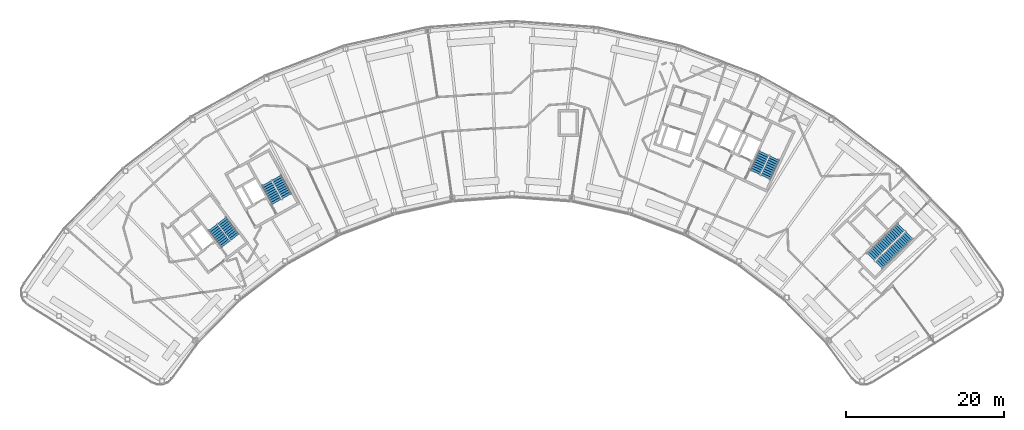
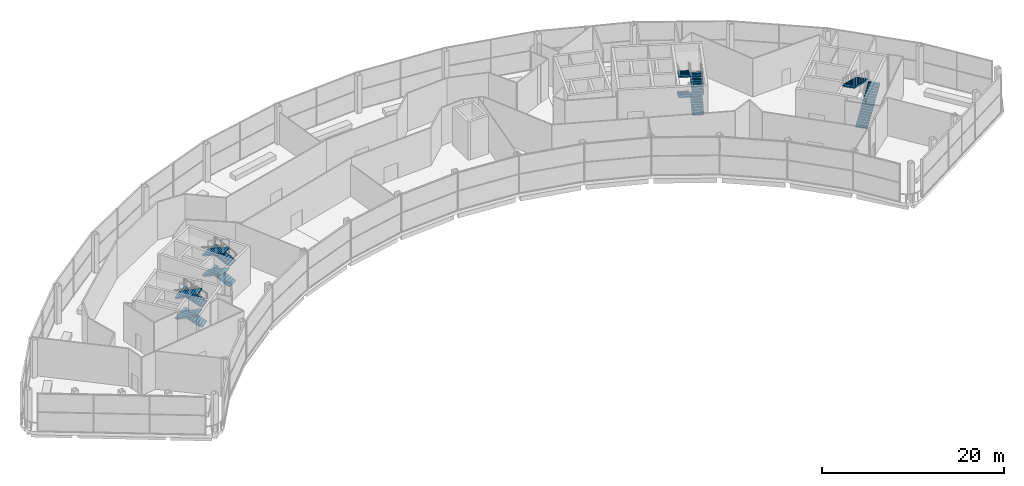
# One storey, part 40 of 43: 14 stair flights, 4 elements without a shape of their own.
"""IFC4 building model written with IfcOpenShell, lengths in metres."""

from ifc_helpers import new_model, si_unit, direction, frame, origin, place, context, subcontext, project, spatial, polyline, outline, extrude, material, type_object, element, aggregate, save


model = new_model("IFC4")

# Units and contexts
model_context = context("Model", 3, precision=1e-05, world=origin(), true_north=direction((0.0, 1.0)))
body_context = subcontext(model_context, "Body", "Model", "MODEL_VIEW")
ifc_project = project(units=[si_unit("LENGTHUNIT", "METRE"), si_unit("AREAUNIT", "SQUARE_METRE"), si_unit("VOLUMEUNIT", "CUBIC_METRE"), si_unit("PLANEANGLEUNIT", "RADIAN"), si_unit("MASSUNIT", "GRAM", prefix="KILO")], contexts=[model_context])

# Site, building, storey
site_placement = place(None, origin())
site = spatial("IfcSite", under=ifc_project, at=site_placement, CompositionType="ELEMENT")
building_placement = place(site_placement, origin())
building = spatial("IfcBuilding", under=site, at=building_placement, Name="Tuul Gate Civic Tower", CompositionType="ELEMENT")
storey_placement = place(building_placement, frame((0.0, 0.0, 349.10009765625)))
storey = spatial("IfcBuildingStorey", under=building, at=storey_placement, Name="Observation level 1", CompositionType="ELEMENT", Elevation=349.10009765625)

# Stair, stair flights
ifc_material_1 = material(Name="Concrete C40/50", Category="concrete")
stair_type = type_object("IfcStairType", Name="Exit stair", PredefinedType="HALF_TURN_STAIR", material=ifc_material_1)
stair_1_placement = place(storey_placement, origin())
stair_1 = element("IfcStair", 1, at=stair_1_placement, inside=storey, type_object=stair_type, Name="Observation level 1 ST-1", PredefinedType="HALF_TURN_STAIR")
ifc_material_2 = material(Name="Concrete C40/50", Category="concrete")
stair_flight_type = type_object("IfcStairFlightType", Name="Exit stair flight", PredefinedType="STRAIGHT", material=ifc_material_2)
stair_flight_1_placement = place(storey_placement, frame((-32.875244140625, -13.066650390625, 0.0), z_axis=(0.0, 0.0, 1.0), x_axis=(-0.605764474941, 0.795644016442, 0.0)))
stair_flight_1 = element("IfcStairFlight", 2, at=stair_flight_1_placement, type_object=stair_flight_type, Name="ST-1 flight 1", NumberOfRisers=10, NumberOfTreads=9, PredefinedType="STRAIGHT", RiserHeight=0.1375, TreadLength=0.3, context=body_context, shape_type="SweptSolid", body=[
    extrude(outline(polyline([(0.0, 0.0), (0.0, 0.137451171875), (0.300048828125, 0.137451171875), (0.300048828125, 0.27490234375), (0.60009765625, 0.27490234375), (0.60009765625, 0.41259765625), (0.89990234375, 0.41259765625), (0.89990234375, 0.550048828125), (1.199951171875, 0.550048828125), (1.199951171875, 0.6875), (1.5, 0.6875), (1.5, 0.824951171875), (1.800048828125, 0.824951171875), (1.800048828125, 0.96240234375), (2.10009765625, 0.96240234375), (2.10009765625, 1.10009765625), (2.39990234375, 1.10009765625), (2.39990234375, 1.237548828125), (2.699951171875, 1.237548828125), (2.699951171875, 1.375), (2.699951171875, 1.072509765625), (0.35986328125, 0.0), (0.0, 0.0)])), frame((0.0, 0.675048828125, 0.0), z_axis=(0.0, -1.0, 0.0), x_axis=(1.0, 0.0, 0.0)), (0.0, 0.0, 1.0), 1.35009765625),
])
stair_flight_2_placement = place(storey_placement, frame((-35.66455078125, -11.796875, 1.375), z_axis=(0.0, 0.0, 1.0), x_axis=(0.605764474941, -0.795644016442, 0.0)))
stair_flight_2 = element("IfcStairFlight", 3, at=stair_flight_2_placement, type_object=stair_flight_type, Name="ST-1 flight 2", NumberOfRisers=10, NumberOfTreads=9, PredefinedType="STRAIGHT", RiserHeight=0.1375, TreadLength=0.3, context=body_context, shape_type="SweptSolid", body=[
    extrude(outline(polyline([(0.0, 0.0), (0.0, 0.137451171875), (0.300048828125, 0.137451171875), (0.300048828125, 0.27490234375), (0.60009765625, 0.27490234375), (0.60009765625, 0.41259765625), (0.89990234375, 0.41259765625), (0.89990234375, 0.550048828125), (1.199951171875, 0.550048828125), (1.199951171875, 0.6875), (1.5, 0.6875), (1.5, 0.824951171875), (1.800048828125, 0.824951171875), (1.800048828125, 0.96240234375), (2.10009765625, 0.96240234375), (2.10009765625, 1.10009765625), (2.39990234375, 1.10009765625), (2.39990234375, 1.237548828125), (2.699951171875, 1.237548828125), (2.699951171875, 1.375), (2.699951171875, 1.072509765625), (0.35986328125, 0.0), (0.0, 0.0)])), frame((0.0, 0.675048828125, 0.0), z_axis=(0.0, -1.0, 0.0), x_axis=(1.0, 0.0, 0.0)), (0.0, 0.0, 1.0), 1.35009765625),
])
stair_flight_3_placement = place(storey_placement, frame((-32.875244140625, -13.066650390625, 2.75), z_axis=(0.0, 0.0, 1.0), x_axis=(-0.605764474941, 0.795644016442, 0.0)))
stair_flight_3 = element("IfcStairFlight", 4, at=stair_flight_3_placement, type_object=stair_flight_type, Name="ST-1 flight 3", NumberOfRisers=10, NumberOfTreads=9, PredefinedType="STRAIGHT", RiserHeight=0.1375, TreadLength=0.3, context=body_context, shape_type="SweptSolid", body=[
    extrude(outline(polyline([(0.0, 0.0), (0.0, 0.137451171875), (0.300048828125, 0.137451171875), (0.300048828125, 0.27490234375), (0.60009765625, 0.27490234375), (0.60009765625, 0.41259765625), (0.89990234375, 0.41259765625), (0.89990234375, 0.550048828125), (1.199951171875, 0.550048828125), (1.199951171875, 0.6875), (1.5, 0.6875), (1.5, 0.824951171875), (1.800048828125, 0.824951171875), (1.800048828125, 0.96240234375), (2.10009765625, 0.96240234375), (2.10009765625, 1.10009765625), (2.39990234375, 1.10009765625), (2.39990234375, 1.237548828125), (2.699951171875, 1.237548828125), (2.699951171875, 1.375), (2.699951171875, 1.072509765625), (0.35986328125, 0.0), (0.0, 0.0)])), frame((0.0, 0.675048828125, 0.0), z_axis=(0.0, -1.0, 0.0), x_axis=(1.0, 0.0, 0.0)), (0.0, 0.0, 1.0), 1.35009765625),
])
stair_flight_4_placement = place(storey_placement, frame((-35.66455078125, -11.796875, 4.125), z_axis=(0.0, 0.0, 1.0), x_axis=(0.605764474941, -0.795644016442, 0.0)))
stair_flight_4 = element("IfcStairFlight", 5, at=stair_flight_4_placement, type_object=stair_flight_type, Name="ST-1 flight 4", NumberOfRisers=10, NumberOfTreads=9, PredefinedType="STRAIGHT", RiserHeight=0.1375, TreadLength=0.3, context=body_context, shape_type="SweptSolid", body=[
    extrude(outline(polyline([(0.0, 0.0), (0.0, 0.137451171875), (0.300048828125, 0.137451171875), (0.300048828125, 0.27490234375), (0.60009765625, 0.27490234375), (0.60009765625, 0.41259765625), (0.89990234375, 0.41259765625), (0.89990234375, 0.550048828125), (1.199951171875, 0.550048828125), (1.199951171875, 0.6875), (1.5, 0.6875), (1.5, 0.824951171875), (1.800048828125, 0.824951171875), (1.800048828125, 0.96240234375), (2.10009765625, 0.96240234375), (2.10009765625, 1.10009765625), (2.39990234375, 1.10009765625), (2.39990234375, 1.237548828125), (2.699951171875, 1.237548828125), (2.699951171875, 1.375), (2.699951171875, 1.072509765625), (0.35986328125, 0.0), (0.0, 0.0)])), frame((0.0, 0.675048828125, 0.0), z_axis=(0.0, -1.0, 0.0), x_axis=(1.0, 0.0, 0.0)), (0.0, 0.0, 1.0), 1.35009765625),
])
aggregate(stair_1, [stair_flight_1, stair_flight_2, stair_flight_3, stair_flight_4])

stair_2_placement = place(storey_placement, origin())
stair_2 = element("IfcStair", 6, at=stair_2_placement, inside=storey, type_object=stair_type, Name="Observation level 1 ST-2", PredefinedType="HALF_TURN_STAIR")
stair_flight_5_placement = place(storey_placement, frame((-26.29150390625, -7.87646484375, 0.0), z_axis=(0.0, 0.0, 1.0), x_axis=(-0.484761763766, 0.874646232708, 0.0)))
stair_flight_5 = element("IfcStairFlight", 7, at=stair_flight_5_placement, type_object=stair_flight_type, Name="ST-2 flight 1", NumberOfRisers=10, NumberOfTreads=9, PredefinedType="STRAIGHT", RiserHeight=0.1375, TreadLength=0.3, context=body_context, shape_type="SweptSolid", body=[
    extrude(outline(polyline([(0.0, 0.0), (0.0, 0.137451171875), (0.300048828125, 0.137451171875), (0.300048828125, 0.27490234375), (0.60009765625, 0.27490234375), (0.60009765625, 0.41259765625), (0.89990234375, 0.41259765625), (0.89990234375, 0.550048828125), (1.199951171875, 0.550048828125), (1.199951171875, 0.6875), (1.5, 0.6875), (1.5, 0.824951171875), (1.800048828125, 0.824951171875), (1.800048828125, 0.96240234375), (2.10009765625, 0.96240234375), (2.10009765625, 1.10009765625), (2.39990234375, 1.10009765625), (2.39990234375, 1.237548828125), (2.699951171875, 1.237548828125), (2.699951171875, 1.375), (2.699951171875, 1.072509765625), (0.35986328125, 0.0), (0.0, 0.0)])), frame((0.0, 0.675048828125, 0.0), z_axis=(0.0, -1.0, 0.0), x_axis=(1.0, 0.0, 0.0)), (0.0, 0.0, 1.0), 1.35009765625),
])
stair_flight_6_placement = place(storey_placement, frame((-28.86865234375, -6.2177734375, 1.375), z_axis=(0.0, 0.0, 1.0), x_axis=(0.484761763766, -0.874646232708, 0.0)))
stair_flight_6 = element("IfcStairFlight", 8, at=stair_flight_6_placement, type_object=stair_flight_type, Name="ST-2 flight 2", NumberOfRisers=10, NumberOfTreads=9, PredefinedType="STRAIGHT", RiserHeight=0.1375, TreadLength=0.3, context=body_context, shape_type="SweptSolid", body=[
    extrude(outline(polyline([(0.0, 0.0), (0.0, 0.137451171875), (0.300048828125, 0.137451171875), (0.300048828125, 0.27490234375), (0.60009765625, 0.27490234375), (0.60009765625, 0.41259765625), (0.89990234375, 0.41259765625), (0.89990234375, 0.550048828125), (1.199951171875, 0.550048828125), (1.199951171875, 0.6875), (1.5, 0.6875), (1.5, 0.824951171875), (1.800048828125, 0.824951171875), (1.800048828125, 0.96240234375), (2.10009765625, 0.96240234375), (2.10009765625, 1.10009765625), (2.39990234375, 1.10009765625), (2.39990234375, 1.237548828125), (2.699951171875, 1.237548828125), (2.699951171875, 1.375), (2.699951171875, 1.072509765625), (0.35986328125, 0.0), (0.0, 0.0)])), frame((0.0, 0.675048828125, 0.0), z_axis=(0.0, -1.0, 0.0), x_axis=(1.0, 0.0, 0.0)), (0.0, 0.0, 1.0), 1.35009765625),
])
stair_flight_7_placement = place(storey_placement, frame((-26.29150390625, -7.87646484375, 2.75), z_axis=(0.0, 0.0, 1.0), x_axis=(-0.484761763766, 0.874646232708, 0.0)))
stair_flight_7 = element("IfcStairFlight", 9, at=stair_flight_7_placement, type_object=stair_flight_type, Name="ST-2 flight 3", NumberOfRisers=10, NumberOfTreads=9, PredefinedType="STRAIGHT", RiserHeight=0.1375, TreadLength=0.3, context=body_context, shape_type="SweptSolid", body=[
    extrude(outline(polyline([(0.0, 0.0), (0.0, 0.137451171875), (0.300048828125, 0.137451171875), (0.300048828125, 0.27490234375), (0.60009765625, 0.27490234375), (0.60009765625, 0.41259765625), (0.89990234375, 0.41259765625), (0.89990234375, 0.550048828125), (1.199951171875, 0.550048828125), (1.199951171875, 0.6875), (1.5, 0.6875), (1.5, 0.824951171875), (1.800048828125, 0.824951171875), (1.800048828125, 0.96240234375), (2.10009765625, 0.96240234375), (2.10009765625, 1.10009765625), (2.39990234375, 1.10009765625), (2.39990234375, 1.237548828125), (2.699951171875, 1.237548828125), (2.699951171875, 1.375), (2.699951171875, 1.072509765625), (0.35986328125, 0.0), (0.0, 0.0)])), frame((0.0, 0.675048828125, 0.0), z_axis=(0.0, -1.0, 0.0), x_axis=(1.0, 0.0, 0.0)), (0.0, 0.0, 1.0), 1.35009765625),
])
stair_flight_8_placement = place(storey_placement, frame((-28.86865234375, -6.2177734375, 4.125), z_axis=(0.0, 0.0, 1.0), x_axis=(0.484761763766, -0.874646232708, 0.0)))
stair_flight_8 = element("IfcStairFlight", 10, at=stair_flight_8_placement, type_object=stair_flight_type, Name="ST-2 flight 4", NumberOfRisers=10, NumberOfTreads=9, PredefinedType="STRAIGHT", RiserHeight=0.1375, TreadLength=0.3, context=body_context, shape_type="SweptSolid", body=[
    extrude(outline(polyline([(0.0, 0.0), (0.0, 0.137451171875), (0.300048828125, 0.137451171875), (0.300048828125, 0.27490234375), (0.60009765625, 0.27490234375), (0.60009765625, 0.41259765625), (0.89990234375, 0.41259765625), (0.89990234375, 0.550048828125), (1.199951171875, 0.550048828125), (1.199951171875, 0.6875), (1.5, 0.6875), (1.5, 0.824951171875), (1.800048828125, 0.824951171875), (1.800048828125, 0.96240234375), (2.10009765625, 0.96240234375), (2.10009765625, 1.10009765625), (2.39990234375, 1.10009765625), (2.39990234375, 1.237548828125), (2.699951171875, 1.237548828125), (2.699951171875, 1.375), (2.699951171875, 1.072509765625), (0.35986328125, 0.0), (0.0, 0.0)])), frame((0.0, 0.675048828125, 0.0), z_axis=(0.0, -1.0, 0.0), x_axis=(1.0, 0.0, 0.0)), (0.0, 0.0, 1.0), 1.35009765625),
])
aggregate(stair_2, [stair_flight_5, stair_flight_6, stair_flight_7, stair_flight_8])

stair_3_placement = place(storey_placement, origin())
stair_3 = element("IfcStair", 11, at=stair_3_placement, inside=storey, type_object=stair_type, Name="Observation level 1 ST-3", PredefinedType="HALF_TURN_STAIR")
stair_flight_9_placement = place(storey_placement, frame((48.61376953125, -16.581787109375, 0.0), z_axis=(0.0, 0.0, 1.0), x_axis=(0.714127290059, 0.700015866672, 0.0)))
stair_flight_9 = element("IfcStairFlight", 12, at=stair_flight_9_placement, type_object=stair_flight_type, Name="ST-3 flight 1", NumberOfRisers=19, NumberOfTreads=18, PredefinedType="STRAIGHT", RiserHeight=0.144736842, TreadLength=0.3, context=body_context, shape_type="SweptSolid", body=[
    extrude(outline(polyline([(0.0, 0.0), (0.0, 0.144775390625), (0.300048828125, 0.144775390625), (0.300048828125, 0.28955078125), (0.60009765625, 0.28955078125), (0.60009765625, 0.434326171875), (0.89990234375, 0.434326171875), (0.89990234375, 0.578857421875), (1.199951171875, 0.578857421875), (1.199951171875, 0.7236328125), (1.5, 0.7236328125), (1.5, 0.868408203125), (1.800048828125, 0.868408203125), (1.800048828125, 1.01318359375), (2.10009765625, 1.01318359375), (2.10009765625, 1.157958984375), (2.39990234375, 1.157958984375), (2.39990234375, 1.302734375), (2.699951171875, 1.302734375), (2.699951171875, 1.447265625), (3.0, 1.447265625), (3.0, 1.592041015625), (3.300048828125, 1.592041015625), (3.300048828125, 1.73681640625), (3.60009765625, 1.73681640625), (3.60009765625, 1.881591796875), (3.89990234375, 1.881591796875), (3.89990234375, 2.0263671875), (4.199951171875, 2.0263671875), (4.199951171875, 2.171142578125), (4.5, 2.171142578125), (4.5, 2.315673828125), (4.800048828125, 2.315673828125), (4.800048828125, 2.46044921875), (5.10009765625, 2.46044921875), (5.10009765625, 2.605224609375), (5.39990234375, 2.605224609375), (5.39990234375, 2.75), (5.39990234375, 2.438720703125), (0.344970703125, 0.0), (0.0, 0.0)])), frame((0.0, 0.675048828125, 0.0), z_axis=(0.0, -1.0, 0.0), x_axis=(1.0, 0.0, 0.0)), (0.0, 0.0, 1.0), 1.35009765625),
])
stair_flight_10_placement = place(storey_placement, frame((51.455078125, -11.76611328125, 2.75), z_axis=(0.0, 0.0, 1.0), x_axis=(-0.714127290059, -0.700015866672, 0.0)))
stair_flight_10 = element("IfcStairFlight", 13, at=stair_flight_10_placement, type_object=stair_flight_type, Name="ST-3 flight 2", NumberOfRisers=19, NumberOfTreads=18, PredefinedType="STRAIGHT", RiserHeight=0.144736842, TreadLength=0.3, context=body_context, shape_type="SweptSolid", body=[
    extrude(outline(polyline([(0.0, 0.0), (0.0, 0.144775390625), (0.300048828125, 0.144775390625), (0.300048828125, 0.28955078125), (0.60009765625, 0.28955078125), (0.60009765625, 0.434326171875), (0.89990234375, 0.434326171875), (0.89990234375, 0.578857421875), (1.199951171875, 0.578857421875), (1.199951171875, 0.7236328125), (1.5, 0.7236328125), (1.5, 0.868408203125), (1.800048828125, 0.868408203125), (1.800048828125, 1.01318359375), (2.10009765625, 1.01318359375), (2.10009765625, 1.157958984375), (2.39990234375, 1.157958984375), (2.39990234375, 1.302734375), (2.699951171875, 1.302734375), (2.699951171875, 1.447265625), (3.0, 1.447265625), (3.0, 1.592041015625), (3.300048828125, 1.592041015625), (3.300048828125, 1.73681640625), (3.60009765625, 1.73681640625), (3.60009765625, 1.881591796875), (3.89990234375, 1.881591796875), (3.89990234375, 2.0263671875), (4.199951171875, 2.0263671875), (4.199951171875, 2.171142578125), (4.5, 2.171142578125), (4.5, 2.315673828125), (4.800048828125, 2.315673828125), (4.800048828125, 2.46044921875), (5.10009765625, 2.46044921875), (5.10009765625, 2.605224609375), (5.39990234375, 2.605224609375), (5.39990234375, 2.75), (5.39990234375, 2.438720703125), (0.344970703125, 0.0), (0.0, 0.0)])), frame((0.0, 0.675048828125, 0.0), z_axis=(0.0, -1.0, 0.0), x_axis=(1.0, 0.0, 0.0)), (0.0, 0.0, 1.0), 1.35009765625),
])
aggregate(stair_3, [stair_flight_9, stair_flight_10])

stair_4_placement = place(storey_placement, origin())
stair_4 = element("IfcStair", 14, at=stair_4_placement, inside=storey, type_object=stair_type, Name="Observation level 1 ST-4", PredefinedType="HALF_TURN_STAIR")
stair_flight_11_placement = place(storey_placement, frame((34.278564453125, -5.478515625, 0.0), z_axis=(0.0, 0.0, 1.0), x_axis=(0.422576295988, 0.906327354806, 0.0)))
stair_flight_11 = element("IfcStairFlight", 15, at=stair_flight_11_placement, type_object=stair_flight_type, Name="ST-4 flight 1", NumberOfRisers=10, NumberOfTreads=9, PredefinedType="STRAIGHT", RiserHeight=0.1375, TreadLength=0.3, context=body_context, shape_type="SweptSolid", body=[
    extrude(outline(polyline([(0.0, 0.0), (0.0, 0.137451171875), (0.300048828125, 0.137451171875), (0.300048828125, 0.27490234375), (0.60009765625, 0.27490234375), (0.60009765625, 0.41259765625), (0.89990234375, 0.41259765625), (0.89990234375, 0.550048828125), (1.199951171875, 0.550048828125), (1.199951171875, 0.6875), (1.5, 0.6875), (1.5, 0.824951171875), (1.800048828125, 0.824951171875), (1.800048828125, 0.96240234375), (2.10009765625, 0.96240234375), (2.10009765625, 1.10009765625), (2.39990234375, 1.10009765625), (2.39990234375, 1.237548828125), (2.699951171875, 1.237548828125), (2.699951171875, 1.375), (2.699951171875, 1.072509765625), (0.35986328125, 0.0), (0.0, 0.0)])), frame((0.0, 0.675048828125, 0.0), z_axis=(0.0, -1.0, 0.0), x_axis=(1.0, 0.0, 0.0)), (0.0, 0.0, 1.0), 1.35009765625),
])
stair_flight_12_placement = place(storey_placement, frame((34.10546875, -2.418701171875, 1.375), z_axis=(0.0, 0.0, 1.0), x_axis=(-0.422576295988, -0.906327354806, 0.0)))
stair_flight_12 = element("IfcStairFlight", 16, at=stair_flight_12_placement, type_object=stair_flight_type, Name="ST-4 flight 2", NumberOfRisers=10, NumberOfTreads=9, PredefinedType="STRAIGHT", RiserHeight=0.1375, TreadLength=0.3, context=body_context, shape_type="SweptSolid", body=[
    extrude(outline(polyline([(0.0, 0.0), (0.0, 0.137451171875), (0.300048828125, 0.137451171875), (0.300048828125, 0.27490234375), (0.60009765625, 0.27490234375), (0.60009765625, 0.41259765625), (0.89990234375, 0.41259765625), (0.89990234375, 0.550048828125), (1.199951171875, 0.550048828125), (1.199951171875, 0.6875), (1.5, 0.6875), (1.5, 0.824951171875), (1.800048828125, 0.824951171875), (1.800048828125, 0.96240234375), (2.10009765625, 0.96240234375), (2.10009765625, 1.10009765625), (2.39990234375, 1.10009765625), (2.39990234375, 1.237548828125), (2.699951171875, 1.237548828125), (2.699951171875, 1.375), (2.699951171875, 1.072509765625), (0.35986328125, 0.0), (0.0, 0.0)])), frame((0.0, 0.675048828125, 0.0), z_axis=(0.0, -1.0, 0.0), x_axis=(1.0, 0.0, 0.0)), (0.0, 0.0, 1.0), 1.35009765625),
])
stair_flight_13_placement = place(storey_placement, frame((34.278564453125, -5.478515625, 2.75), z_axis=(0.0, 0.0, 1.0), x_axis=(0.422576295988, 0.906327354806, 0.0)))
stair_flight_13 = element("IfcStairFlight", 17, at=stair_flight_13_placement, type_object=stair_flight_type, Name="ST-4 flight 3", NumberOfRisers=10, NumberOfTreads=9, PredefinedType="STRAIGHT", RiserHeight=0.1375, TreadLength=0.3, context=body_context, shape_type="SweptSolid", body=[
    extrude(outline(polyline([(0.0, 0.0), (0.0, 0.137451171875), (0.300048828125, 0.137451171875), (0.300048828125, 0.27490234375), (0.60009765625, 0.27490234375), (0.60009765625, 0.41259765625), (0.89990234375, 0.41259765625), (0.89990234375, 0.550048828125), (1.199951171875, 0.550048828125), (1.199951171875, 0.6875), (1.5, 0.6875), (1.5, 0.824951171875), (1.800048828125, 0.824951171875), (1.800048828125, 0.96240234375), (2.10009765625, 0.96240234375), (2.10009765625, 1.10009765625), (2.39990234375, 1.10009765625), (2.39990234375, 1.237548828125), (2.699951171875, 1.237548828125), (2.699951171875, 1.375), (2.699951171875, 1.072509765625), (0.35986328125, 0.0), (0.0, 0.0)])), frame((0.0, 0.675048828125, 0.0), z_axis=(0.0, -1.0, 0.0), x_axis=(1.0, 0.0, 0.0)), (0.0, 0.0, 1.0), 1.35009765625),
])
stair_flight_14_placement = place(storey_placement, frame((34.10546875, -2.418701171875, 4.125), z_axis=(0.0, 0.0, 1.0), x_axis=(-0.422576295988, -0.906327354806, 0.0)))
stair_flight_14 = element("IfcStairFlight", 18, at=stair_flight_14_placement, type_object=stair_flight_type, Name="ST-4 flight 4", NumberOfRisers=10, NumberOfTreads=9, PredefinedType="STRAIGHT", RiserHeight=0.1375, TreadLength=0.3, context=body_context, shape_type="SweptSolid", body=[
    extrude(outline(polyline([(0.0, 0.0), (0.0, 0.137451171875), (0.300048828125, 0.137451171875), (0.300048828125, 0.27490234375), (0.60009765625, 0.27490234375), (0.60009765625, 0.41259765625), (0.89990234375, 0.41259765625), (0.89990234375, 0.550048828125), (1.199951171875, 0.550048828125), (1.199951171875, 0.6875), (1.5, 0.6875), (1.5, 0.824951171875), (1.800048828125, 0.824951171875), (1.800048828125, 0.96240234375), (2.10009765625, 0.96240234375), (2.10009765625, 1.10009765625), (2.39990234375, 1.10009765625), (2.39990234375, 1.237548828125), (2.699951171875, 1.237548828125), (2.699951171875, 1.375), (2.699951171875, 1.072509765625), (0.35986328125, 0.0), (0.0, 0.0)])), frame((0.0, 0.675048828125, 0.0), z_axis=(0.0, -1.0, 0.0), x_axis=(1.0, 0.0, 0.0)), (0.0, 0.0, 1.0), 1.35009765625),
])
aggregate(stair_4, [stair_flight_11, stair_flight_12, stair_flight_13, stair_flight_14])

save(model, "model.ifc")
